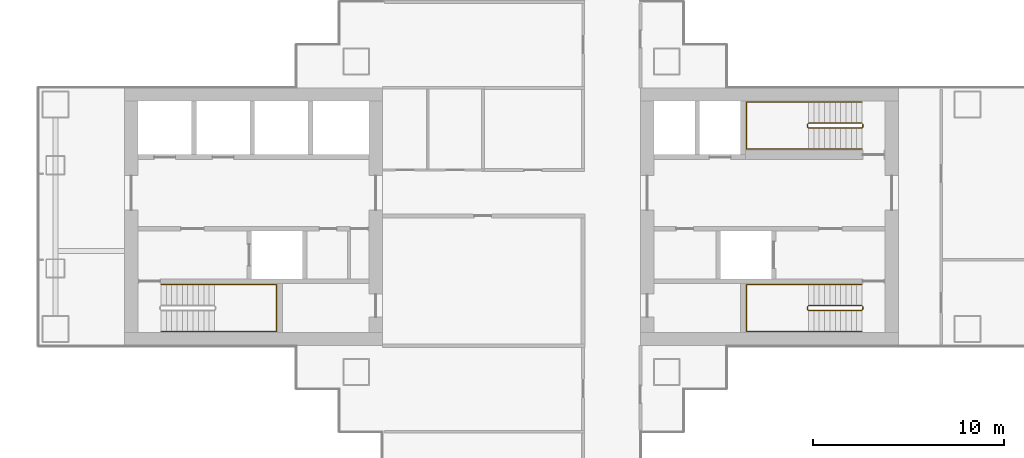
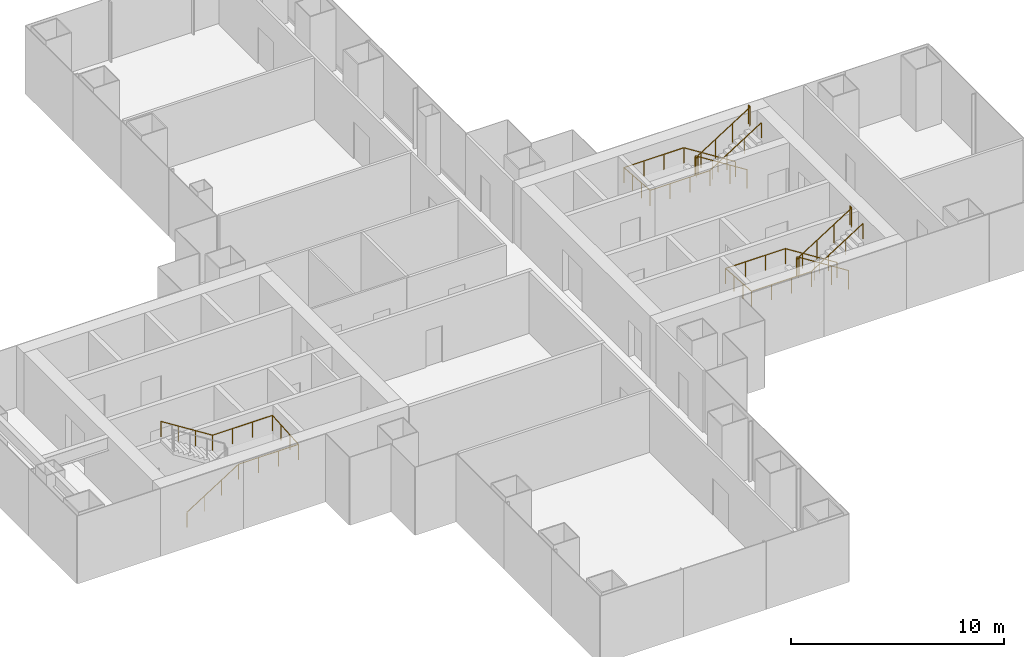
# One storey, part 20 of 21: 5 railings.
"""IFC4 building model written with IfcOpenShell, lengths in metres."""

from ifc_helpers import new_model, si_unit, direction, frame, origin, origin_2d, place, context, subcontext, project, spatial, circle, extrude, material, type_object, element, save


model = new_model("IFC4")

# Units and contexts
model_context = context("Model", 3, precision=1e-05, world=origin(), true_north=direction((0.0, 1.0)))
body_context = subcontext(model_context, "Body", "Model", "MODEL_VIEW")
ifc_project = project(units=[si_unit("LENGTHUNIT", "METRE"), si_unit("AREAUNIT", "SQUARE_METRE"), si_unit("VOLUMEUNIT", "CUBIC_METRE"), si_unit("PLANEANGLEUNIT", "RADIAN"), si_unit("MASSUNIT", "GRAM", prefix="KILO")], contexts=[model_context])

# Site, building, storey
site_placement = place(None, origin())
site = spatial("IfcSite", under=ifc_project, at=site_placement, CompositionType="ELEMENT")
building_placement = place(site_placement, origin())
building = spatial("IfcBuilding", under=site, at=building_placement, Name="Shamsa Quay Exchange Towers", CompositionType="ELEMENT")
storey_placement = place(building_placement, frame((0.0, 0.0, 65.39990234375)))
storey = spatial("IfcBuildingStorey", under=building, at=storey_placement, Name="L14", CompositionType="ELEMENT", Elevation=65.39990234375)

# Railings
ifc_material = material(Name="Stainless steel", Category="steel")
railing_type_1 = type_object("IfcRailingType", Name="STAIR GUARD 1100", PredefinedType="GUARDRAIL", material=ifc_material)
railing_1_placement = place(storey_placement, frame((52.10009765625, -4.64990234375, 0.177490234375)))
element("IfcRailing", 1, at=railing_1_placement, inside=storey, type_object=railing_type_1, Name="L14 ST5 stair guard 1", PredefinedType="GUARDRAIL", context=body_context, shape_type="SweptSolid", body=[
    extrude(circle(Radius=0.02392578125, at=origin_2d()), frame((0.0, 0.0, 1.076171875), z_axis=(-0.844908973607, 0.0, 0.534910110503), x_axis=(0.0, -1.0, 0.0)), (0.0, 0.0, 1.0), 3.31396484375),
    extrude(circle(Radius=0.02392578125, at=origin_2d()), frame((-2.800048828125, 0.0, 2.8486328125), z_axis=(-0.707106781187, -0.707106781187, 0.0), x_axis=(0.707106781187, -0.707106781187, 0.0)), (0.0, 0.0, 1.0), 0.07080078125),
    extrude(circle(Radius=0.02392578125, at=origin_2d()), frame((-2.85009765625, -0.050048828125, 2.8486328125), z_axis=(0.0, -1.0, 0.0), x_axis=(1.0, 0.0, 0.0)), (0.0, 0.0, 1.0), 0.150146484375),
    extrude(circle(Radius=0.02392578125, at=origin_2d()), frame((-2.85009765625, -0.2001953125, 2.8486328125), z_axis=(0.262321481514, -0.261041864531, 0.929001929653), x_axis=(0.705375805398, 0.708833529934, 0.0)), (0.0, 0.0, 1.0), 0.190673828125),
    extrude(circle(Radius=0.02392578125, at=origin_2d()), frame((-2.800048828125, -0.25, 3.02587890625), z_axis=(0.844908973607, 0.0, 0.534910110503), x_axis=(0.0, 1.0, 0.0)), (0.0, 0.0, 1.0), 3.31396484375),
    extrude(circle(Radius=0.02392578125, at=origin_2d()), frame((0.0, -0.25, 4.798828125), z_axis=(0.241699205484, 0.970351222016, 0.0), x_axis=(-0.970351222016, 0.241699205484, 0.0)), (0.0, 0.0, 1.0), 0.2060546875),
    extrude(circle(Radius=0.02392578125, at=origin_2d()), frame((0.0498046875, -0.050048828125, 4.798828125), z_axis=(0.0, -1.0, 0.0), x_axis=(1.0, 0.0, 0.0)), (0.0, 0.0, 1.0), 0.150146484375),
    extrude(circle(Radius=0.02099609375, at=origin_2d()), origin(), (0.0, 0.0, 1.0), 1.052001953125),
    extrude(circle(Radius=0.02099609375, at=origin_2d()), frame((-0.933349609375, 0.0, 0.5908203125)), (0.0, 0.0, 1.0), 1.052001953125),
    extrude(circle(Radius=0.02099609375, at=origin_2d()), frame((-1.86669921875, 0.0, 1.181884765625)), (0.0, 0.0, 1.0), 1.052001953125),
    extrude(circle(Radius=0.02099609375, at=origin_2d()), frame((-2.800048828125, 0.0, 1.772705078125)), (0.0, 0.0, 1.0), 1.052001953125),
    extrude(circle(Radius=0.02099609375, at=origin_2d()), frame((-2.85009765625, -0.050048828125, 1.772705078125)), (0.0, 0.0, 1.0), 1.052001953125),
    extrude(circle(Radius=0.02099609375, at=origin_2d()), frame((-2.85009765625, -0.2001953125, 1.772705078125)), (0.0, 0.0, 1.0), 1.052001953125),
    extrude(circle(Radius=0.02099609375, at=origin_2d()), frame((-2.800048828125, -0.25, 1.949951171875)), (0.0, 0.0, 1.0), 1.052001953125),
    extrude(circle(Radius=0.02099609375, at=origin_2d()), frame((-1.86669921875, -0.25, 2.540771484375)), (0.0, 0.0, 1.0), 1.052001953125),
    extrude(circle(Radius=0.02099609375, at=origin_2d()), frame((-0.933349609375, -0.25, 3.1318359375)), (0.0, 0.0, 1.0), 1.052001953125),
    extrude(circle(Radius=0.02099609375, at=origin_2d()), frame((0.0, -0.25, 3.72265625)), (0.0, 0.0, 1.0), 1.052001953125),
    extrude(circle(Radius=0.02099609375, at=origin_2d()), frame((0.0498046875, -0.050048828125, 3.72265625)), (0.0, 0.0, 1.0), 1.052001953125),
    extrude(circle(Radius=0.02099609375, at=origin_2d()), frame((0.0498046875, -0.2001953125, 3.72265625)), (0.0, 0.0, 1.0), 1.052001953125),
])
railing_2_placement = place(storey_placement, frame((52.10009765625, 4.89990234375, 0.177490234375)))
element("IfcRailing", 2, at=railing_2_placement, inside=storey, type_object=railing_type_1, Name="L14 ST6 stair guard 1", PredefinedType="GUARDRAIL", context=body_context, shape_type="SweptSolid", body=[
    extrude(circle(Radius=0.02392578125, at=origin_2d()), frame((0.0, 0.0, 1.076171875), z_axis=(-0.844908973607, 0.0, 0.534910110503), x_axis=(0.0, -1.0, 0.0)), (0.0, 0.0, 1.0), 3.31396484375),
    extrude(circle(Radius=0.02392578125, at=origin_2d()), frame((-2.800048828125, 0.0, 2.8486328125), z_axis=(-0.708833529934, -0.705375805398, 0.0), x_axis=(0.705375805398, -0.708833529934, 0.0)), (0.0, 0.0, 1.0), 0.070556640625),
    extrude(circle(Radius=0.02392578125, at=origin_2d()), frame((-2.85009765625, -0.0498046875, 2.8486328125), z_axis=(0.0, -1.0, 0.0), x_axis=(1.0, 0.0, 0.0)), (0.0, 0.0, 1.0), 0.150146484375),
    extrude(circle(Radius=0.02392578125, at=origin_2d()), frame((-2.85009765625, -0.199951171875, 2.8486328125), z_axis=(0.262233686654, -0.262233686654, 0.928691007369), x_axis=(0.707106781187, 0.707106781187, 0.0)), (0.0, 0.0, 1.0), 0.19091796875),
    extrude(circle(Radius=0.02392578125, at=origin_2d()), frame((-2.800048828125, -0.25, 3.02587890625), z_axis=(0.844908973607, 0.0, 0.534910110503), x_axis=(0.0, 1.0, 0.0)), (0.0, 0.0, 1.0), 3.31396484375),
    extrude(circle(Radius=0.02392578125, at=origin_2d()), frame((0.0, -0.25, 4.798828125), z_axis=(0.24142163986, 0.970420317083, 0.0), x_axis=(-0.970420317083, 0.24142163986, 0.0)), (0.0, 0.0, 1.0), 0.206298828125),
    extrude(circle(Radius=0.02392578125, at=origin_2d()), frame((0.0498046875, -0.0498046875, 4.798828125), z_axis=(0.0, -1.0, 0.0), x_axis=(1.0, 0.0, 0.0)), (0.0, 0.0, 1.0), 0.150146484375),
    extrude(circle(Radius=0.02099609375, at=origin_2d()), origin(), (0.0, 0.0, 1.0), 1.052001953125),
    extrude(circle(Radius=0.02099609375, at=origin_2d()), frame((-0.933349609375, 0.0, 0.5908203125)), (0.0, 0.0, 1.0), 1.052001953125),
    extrude(circle(Radius=0.02099609375, at=origin_2d()), frame((-1.86669921875, 0.0, 1.181884765625)), (0.0, 0.0, 1.0), 1.052001953125),
    extrude(circle(Radius=0.02099609375, at=origin_2d()), frame((-2.800048828125, 0.0, 1.772705078125)), (0.0, 0.0, 1.0), 1.052001953125),
    extrude(circle(Radius=0.02099609375, at=origin_2d()), frame((-2.85009765625, -0.0498046875, 1.772705078125)), (0.0, 0.0, 1.0), 1.052001953125),
    extrude(circle(Radius=0.02099609375, at=origin_2d()), frame((-2.85009765625, -0.199951171875, 1.772705078125)), (0.0, 0.0, 1.0), 1.052001953125),
    extrude(circle(Radius=0.02099609375, at=origin_2d()), frame((-2.800048828125, -0.25, 1.949951171875)), (0.0, 0.0, 1.0), 1.052001953125),
    extrude(circle(Radius=0.02099609375, at=origin_2d()), frame((-1.86669921875, -0.25, 2.540771484375)), (0.0, 0.0, 1.0), 1.052001953125),
    extrude(circle(Radius=0.02099609375, at=origin_2d()), frame((-0.933349609375, -0.25, 3.1318359375)), (0.0, 0.0, 1.0), 1.052001953125),
    extrude(circle(Radius=0.02099609375, at=origin_2d()), frame((0.0, -0.25, 3.72265625)), (0.0, 0.0, 1.0), 1.052001953125),
    extrude(circle(Radius=0.02099609375, at=origin_2d()), frame((0.0498046875, -0.0498046875, 3.72265625)), (0.0, 0.0, 1.0), 1.052001953125),
    extrude(circle(Radius=0.02099609375, at=origin_2d()), frame((0.0498046875, -0.199951171875, 3.72265625)), (0.0, 0.0, 1.0), 1.052001953125),
])
railing_type_2 = type_object("IfcRailingType", Name="STAIR HANDRAIL 900", PredefinedType="HANDRAIL", material=ifc_material)
railing_3_placement = place(storey_placement, frame((15.39990234375, -6.0, 0.177490234375)))
element("IfcRailing", 3, at=railing_3_placement, inside=storey, type_object=railing_type_2, Name="L14 ST4 stair handrail 1", PredefinedType="HANDRAIL", context=body_context, shape_type="SweptSolid", body=[
    extrude(circle(Radius=0.02392578125, at=origin_2d()), frame((0.0, 0.0, 0.8759765625), z_axis=(0.844908973607, 0.0, 0.534910110503), x_axis=(0.0, 1.0, 0.0)), (0.0, 0.0, 1.0), 3.31396484375),
    extrude(circle(Radius=0.02392578125, at=origin_2d()), frame((2.800048828125, 0.0, 2.6484375), z_axis=(1.0, 0.0, 0.0), x_axis=(0.0, 1.0, 0.0)), (0.0, 0.0, 1.0), 3.25),
    extrude(circle(Radius=0.02392578125, at=origin_2d()), frame((6.050048828125, 0.0, 2.6484375), z_axis=(0.0, 0.997393199914, 0.07215819264), x_axis=(-1.0, 0.0, 0.0)), (0.0, 0.0, 1.0), 2.456298828125),
    extrude(circle(Radius=0.02392578125, at=origin_2d()), frame((6.050048828125, 2.449951171875, 2.82568359375), z_axis=(-1.0, 0.0, 0.0), x_axis=(0.0, -1.0, 0.0)), (0.0, 0.0, 1.0), 3.25),
    extrude(circle(Radius=0.02392578125, at=origin_2d()), frame((2.800048828125, 2.449951171875, 2.82568359375), z_axis=(-0.844908973607, 0.0, 0.534910110503), x_axis=(0.0, -1.0, 0.0)), (0.0, 0.0, 1.0), 3.31396484375),
    extrude(circle(Radius=0.02099609375, at=origin_2d()), origin(), (0.0, 0.0, 1.0), 0.851806640625),
    extrude(circle(Radius=0.02099609375, at=origin_2d()), frame((0.933349609375, 0.0, 0.5908203125)), (0.0, 0.0, 1.0), 0.851806640625),
    extrude(circle(Radius=0.02099609375, at=origin_2d()), frame((1.86669921875, 0.0, 1.181884765625)), (0.0, 0.0, 1.0), 0.851806640625),
    extrude(circle(Radius=0.02099609375, at=origin_2d()), frame((2.800048828125, 0.0, 1.772705078125)), (0.0, 0.0, 1.0), 0.851806640625),
    extrude(circle(Radius=0.02099609375, at=origin_2d()), frame((3.88330078125, 0.0, 1.772705078125)), (0.0, 0.0, 1.0), 0.851806640625),
    extrude(circle(Radius=0.02099609375, at=origin_2d()), frame((4.966796875, 0.0, 1.772705078125)), (0.0, 0.0, 1.0), 0.851806640625),
    extrude(circle(Radius=0.02099609375, at=origin_2d()), frame((6.050048828125, 0.0, 1.772705078125)), (0.0, 0.0, 1.0), 0.851806640625),
    extrude(circle(Radius=0.02099609375, at=origin_2d()), frame((6.050048828125, 0.816650390625, 1.831787109375)), (0.0, 0.0, 1.0), 0.851806640625),
    extrude(circle(Radius=0.02099609375, at=origin_2d()), frame((6.050048828125, 1.63330078125, 1.890869140625)), (0.0, 0.0, 1.0), 0.851806640625),
    extrude(circle(Radius=0.02099609375, at=origin_2d()), frame((6.050048828125, 2.449951171875, 1.949951171875)), (0.0, 0.0, 1.0), 0.851806640625),
    extrude(circle(Radius=0.02099609375, at=origin_2d()), frame((4.966796875, 2.449951171875, 1.949951171875)), (0.0, 0.0, 1.0), 0.851806640625),
    extrude(circle(Radius=0.02099609375, at=origin_2d()), frame((3.88330078125, 2.449951171875, 1.949951171875)), (0.0, 0.0, 1.0), 0.851806640625),
    extrude(circle(Radius=0.02099609375, at=origin_2d()), frame((2.800048828125, 2.449951171875, 1.949951171875)), (0.0, 0.0, 1.0), 0.851806640625),
    extrude(circle(Radius=0.02099609375, at=origin_2d()), frame((1.86669921875, 2.449951171875, 2.540771484375)), (0.0, 0.0, 1.0), 0.851806640625),
    extrude(circle(Radius=0.02099609375, at=origin_2d()), frame((0.933349609375, 2.449951171875, 3.1318359375)), (0.0, 0.0, 1.0), 0.851806640625),
    extrude(circle(Radius=0.02099609375, at=origin_2d()), frame((0.0, 2.449951171875, 3.72265625)), (0.0, 0.0, 1.0), 0.851806640625),
])
railing_4_placement = place(storey_placement, frame((52.10009765625, -3.550048828125, 0.177490234375)))
element("IfcRailing", 4, at=railing_4_placement, inside=storey, type_object=railing_type_2, Name="L14 ST5 stair handrail 1", PredefinedType="HANDRAIL", context=body_context, shape_type="SweptSolid", body=[
    extrude(circle(Radius=0.02392578125, at=origin_2d()), frame((0.0, 0.0, 0.8759765625), z_axis=(-0.844908973607, 0.0, 0.534910110503), x_axis=(0.0, -1.0, 0.0)), (0.0, 0.0, 1.0), 3.31396484375),
    extrude(circle(Radius=0.02392578125, at=origin_2d()), frame((-2.800048828125, 0.0, 2.6484375), z_axis=(-1.0, 0.0, 0.0), x_axis=(0.0, -1.0, 0.0)), (0.0, 0.0, 1.0), 3.25),
    extrude(circle(Radius=0.02392578125, at=origin_2d()), frame((-6.050048828125, 0.0, 2.6484375), z_axis=(0.0, -0.997393199914, 0.07215819264), x_axis=(1.0, 0.0, 0.0)), (0.0, 0.0, 1.0), 2.456298828125),
    extrude(circle(Radius=0.02392578125, at=origin_2d()), frame((-6.050048828125, -2.449951171875, 2.82568359375), z_axis=(1.0, 0.0, 0.0), x_axis=(0.0, 1.0, 0.0)), (0.0, 0.0, 1.0), 3.25),
    extrude(circle(Radius=0.02392578125, at=origin_2d()), frame((-2.800048828125, -2.449951171875, 2.82568359375), z_axis=(0.844908973607, 0.0, 0.534910110503), x_axis=(0.0, 1.0, 0.0)), (0.0, 0.0, 1.0), 3.31396484375),
    extrude(circle(Radius=0.02099609375, at=origin_2d()), origin(), (0.0, 0.0, 1.0), 0.851806640625),
    extrude(circle(Radius=0.02099609375, at=origin_2d()), frame((-0.933349609375, 0.0, 0.5908203125)), (0.0, 0.0, 1.0), 0.851806640625),
    extrude(circle(Radius=0.02099609375, at=origin_2d()), frame((-1.86669921875, 0.0, 1.181884765625)), (0.0, 0.0, 1.0), 0.851806640625),
    extrude(circle(Radius=0.02099609375, at=origin_2d()), frame((-2.800048828125, 0.0, 1.772705078125)), (0.0, 0.0, 1.0), 0.851806640625),
    extrude(circle(Radius=0.02099609375, at=origin_2d()), frame((-3.88330078125, 0.0, 1.772705078125)), (0.0, 0.0, 1.0), 0.851806640625),
    extrude(circle(Radius=0.02099609375, at=origin_2d()), frame((-4.966796875, 0.0, 1.772705078125)), (0.0, 0.0, 1.0), 0.851806640625),
    extrude(circle(Radius=0.02099609375, at=origin_2d()), frame((-6.050048828125, 0.0, 1.772705078125)), (0.0, 0.0, 1.0), 0.851806640625),
    extrude(circle(Radius=0.02099609375, at=origin_2d()), frame((-6.050048828125, -0.816650390625, 1.831787109375)), (0.0, 0.0, 1.0), 0.851806640625),
    extrude(circle(Radius=0.02099609375, at=origin_2d()), frame((-6.050048828125, -1.63330078125, 1.890869140625)), (0.0, 0.0, 1.0), 0.851806640625),
    extrude(circle(Radius=0.02099609375, at=origin_2d()), frame((-6.050048828125, -2.449951171875, 1.949951171875)), (0.0, 0.0, 1.0), 0.851806640625),
    extrude(circle(Radius=0.02099609375, at=origin_2d()), frame((-4.966796875, -2.449951171875, 1.949951171875)), (0.0, 0.0, 1.0), 0.851806640625),
    extrude(circle(Radius=0.02099609375, at=origin_2d()), frame((-3.88330078125, -2.449951171875, 1.949951171875)), (0.0, 0.0, 1.0), 0.851806640625),
    extrude(circle(Radius=0.02099609375, at=origin_2d()), frame((-2.800048828125, -2.449951171875, 1.949951171875)), (0.0, 0.0, 1.0), 0.851806640625),
    extrude(circle(Radius=0.02099609375, at=origin_2d()), frame((-1.86669921875, -2.449951171875, 2.540771484375)), (0.0, 0.0, 1.0), 0.851806640625),
    extrude(circle(Radius=0.02099609375, at=origin_2d()), frame((-0.933349609375, -2.449951171875, 3.1318359375)), (0.0, 0.0, 1.0), 0.851806640625),
    extrude(circle(Radius=0.02099609375, at=origin_2d()), frame((0.0, -2.449951171875, 3.72265625)), (0.0, 0.0, 1.0), 0.851806640625),
])
railing_5_placement = place(storey_placement, frame((52.10009765625, 6.0, 0.177490234375)))
element("IfcRailing", 5, at=railing_5_placement, inside=storey, type_object=railing_type_2, Name="L14 ST6 stair handrail 1", PredefinedType="HANDRAIL", context=body_context, shape_type="SweptSolid", body=[
    extrude(circle(Radius=0.02392578125, at=origin_2d()), frame((0.0, 0.0, 0.8759765625), z_axis=(-0.844908973607, 0.0, 0.534910110503), x_axis=(0.0, -1.0, 0.0)), (0.0, 0.0, 1.0), 3.31396484375),
    extrude(circle(Radius=0.02392578125, at=origin_2d()), frame((-2.800048828125, 0.0, 2.6484375), z_axis=(-1.0, 0.0, 0.0), x_axis=(0.0, -1.0, 0.0)), (0.0, 0.0, 1.0), 3.25),
    extrude(circle(Radius=0.02392578125, at=origin_2d()), frame((-6.050048828125, 0.0, 2.6484375), z_axis=(0.0, -0.997393199914, 0.07215819264), x_axis=(1.0, 0.0, 0.0)), (0.0, 0.0, 1.0), 2.456298828125),
    extrude(circle(Radius=0.02392578125, at=origin_2d()), frame((-6.050048828125, -2.449951171875, 2.82568359375), z_axis=(1.0, 0.0, 0.0), x_axis=(0.0, 1.0, 0.0)), (0.0, 0.0, 1.0), 3.25),
    extrude(circle(Radius=0.02392578125, at=origin_2d()), frame((-2.800048828125, -2.449951171875, 2.82568359375), z_axis=(0.844908973607, 0.0, 0.534910110503), x_axis=(0.0, 1.0, 0.0)), (0.0, 0.0, 1.0), 3.31396484375),
    extrude(circle(Radius=0.02099609375, at=origin_2d()), origin(), (0.0, 0.0, 1.0), 0.851806640625),
    extrude(circle(Radius=0.02099609375, at=origin_2d()), frame((-0.933349609375, 0.0, 0.5908203125)), (0.0, 0.0, 1.0), 0.851806640625),
    extrude(circle(Radius=0.02099609375, at=origin_2d()), frame((-1.86669921875, 0.0, 1.181884765625)), (0.0, 0.0, 1.0), 0.851806640625),
    extrude(circle(Radius=0.02099609375, at=origin_2d()), frame((-2.800048828125, 0.0, 1.772705078125)), (0.0, 0.0, 1.0), 0.851806640625),
    extrude(circle(Radius=0.02099609375, at=origin_2d()), frame((-3.88330078125, 0.0, 1.772705078125)), (0.0, 0.0, 1.0), 0.851806640625),
    extrude(circle(Radius=0.02099609375, at=origin_2d()), frame((-4.966796875, 0.0, 1.772705078125)), (0.0, 0.0, 1.0), 0.851806640625),
    extrude(circle(Radius=0.02099609375, at=origin_2d()), frame((-6.050048828125, 0.0, 1.772705078125)), (0.0, 0.0, 1.0), 0.851806640625),
    extrude(circle(Radius=0.02099609375, at=origin_2d()), frame((-6.050048828125, -0.816650390625, 1.831787109375)), (0.0, 0.0, 1.0), 0.851806640625),
    extrude(circle(Radius=0.02099609375, at=origin_2d()), frame((-6.050048828125, -1.63330078125, 1.890869140625)), (0.0, 0.0, 1.0), 0.851806640625),
    extrude(circle(Radius=0.02099609375, at=origin_2d()), frame((-6.050048828125, -2.449951171875, 1.949951171875)), (0.0, 0.0, 1.0), 0.851806640625),
    extrude(circle(Radius=0.02099609375, at=origin_2d()), frame((-4.966796875, -2.449951171875, 1.949951171875)), (0.0, 0.0, 1.0), 0.851806640625),
    extrude(circle(Radius=0.02099609375, at=origin_2d()), frame((-3.88330078125, -2.449951171875, 1.949951171875)), (0.0, 0.0, 1.0), 0.851806640625),
    extrude(circle(Radius=0.02099609375, at=origin_2d()), frame((-2.800048828125, -2.449951171875, 1.949951171875)), (0.0, 0.0, 1.0), 0.851806640625),
    extrude(circle(Radius=0.02099609375, at=origin_2d()), frame((-1.86669921875, -2.449951171875, 2.540771484375)), (0.0, 0.0, 1.0), 0.851806640625),
    extrude(circle(Radius=0.02099609375, at=origin_2d()), frame((-0.933349609375, -2.449951171875, 3.1318359375)), (0.0, 0.0, 1.0), 0.851806640625),
    extrude(circle(Radius=0.02099609375, at=origin_2d()), frame((0.0, -2.449951171875, 3.72265625)), (0.0, 0.0, 1.0), 0.851806640625),
])

save(model, "model.ifc")
